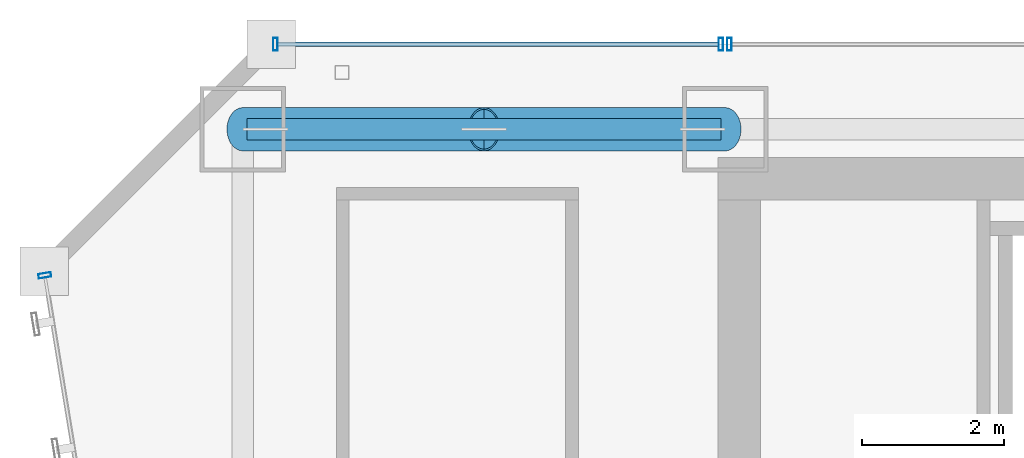
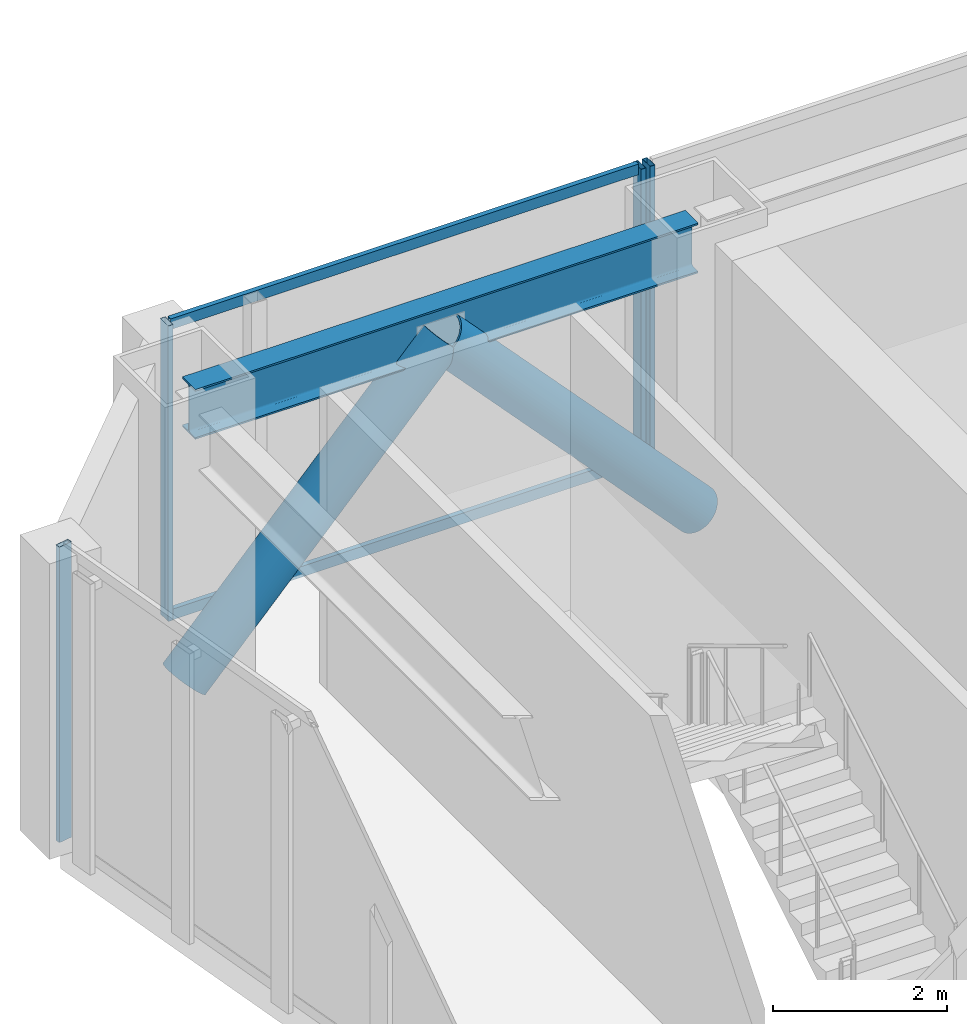
# One storey, part 26 of 49: 8 members, 1 beam, 3 elements without a shape of their own.
"""IFC4 building model written with IfcOpenShell, lengths in metres."""

from ifc_helpers import new_model, si_unit, direction, frame, origin, origin_2d, place, context, subcontext, project, spatial, hollow_rectangle, hollow_circle, i_section, extrude, material, material_profile, profile_set, type_object, element, aggregate, save


model = new_model("IFC4")

# Units and contexts
model_context = context("Model", 3, precision=1e-05, world=origin(), true_north=direction((0.0, 1.0)))
body_context = subcontext(model_context, "Body", "Model", "MODEL_VIEW")
ifc_project = project(units=[si_unit("LENGTHUNIT", "METRE"), si_unit("AREAUNIT", "SQUARE_METRE"), si_unit("VOLUMEUNIT", "CUBIC_METRE"), si_unit("PLANEANGLEUNIT", "RADIAN"), si_unit("MASSUNIT", "GRAM", prefix="KILO")], contexts=[model_context])

# Site, building, storey
site_placement = place(None, origin())
site = spatial("IfcSite", under=ifc_project, at=site_placement, CompositionType="ELEMENT")
building_placement = place(site_placement, origin())
building = spatial("IfcBuilding", under=site, at=building_placement, Name="Saevonmaru Cultural Tower", CompositionType="ELEMENT")
storey_placement = place(building_placement, frame((0.0, 0.0, 38.39990234375)))
storey = spatial("IfcBuildingStorey", under=building, at=storey_placement, Name="L07", CompositionType="ELEMENT", Elevation=38.39990234375)

# Beam
ifc_material_1 = material(Name="Steel SM355", Category="steel")
ifc_material_profile_1 = material_profile(ifc_material_1, i_section(OverallWidth=0.300048828125, OverallDepth=0.699951171875, WebThickness=0.012939453125, FlangeThickness=0.02392578125, FilletRadius=0.02587890625, at=origin_2d()), Name="H-700x300x13x24")
ifc_profile_set_1 = profile_set([ifc_material_profile_1], Name="Steel SM355")
beam_type = type_object("IfcBeamType", Name="BM-SP-H700", PredefinedType="SPANDREL", material=ifc_profile_set_1)
beam_placement = place(storey_placement, frame((6.860107421875, 54.800048828125, 3.800048828125), z_axis=(1.0, 0.0, 0.0), x_axis=(0.0, 1.0, 0.0)))
element("IfcBeam", 1, at=beam_placement, inside=storey, type_object=beam_type, Name="L07 North Spine Girder 1", PredefinedType="SPANDREL", context=body_context, shape_type="SweptSolid", body=[
    extrude(i_section(OverallWidth=0.300048828125, OverallDepth=0.699951171875, WebThickness=0.012939453125, FlangeThickness=0.02392578125, FilletRadius=0.02587890625, at=origin_2d()), origin(), (0.0, 0.0, 1.0), 6.679931640625),
])

# Members
ifc_material_2 = material(Name="Steel HSA600 (600 MPa)", Category="steel")
ifc_material_profile_2 = material_profile(ifc_material_2, hollow_circle(Radius=0.3046875, WallThickness=0.02490234375, at=origin_2d()), Name="CHS-609.6x25")
ifc_profile_set_2 = profile_set([ifc_material_profile_2], Name="Steel HSA600 (600 MPa)")
member_type_1 = type_object("IfcMemberType", Name="MB-PBR-CHS610", PredefinedType="BRACE", material=ifc_profile_set_2)
member_1_placement = place(storey_placement, frame((6.800048828125, 54.800048828125, 0.02001953125), z_axis=(0.681578526789, 0.0, 0.731744977311), x_axis=(0.0, 1.0, 0.0)))
element("IfcMember", 2, at=member_1_placement, inside=storey, type_object=member_type_1, Name="L07 Perimeter Braced-Tube Diagonal WN1", PredefinedType="BRACE", context=body_context, shape_type="SweptSolid", body=[
    extrude(hollow_circle(Radius=0.3046875, WallThickness=0.02490234375, at=origin_2d()), origin(), (0.0, 0.0, 1.0), 4.98828125),
])
member_2_placement = place(storey_placement, frame((13.60009765625, 54.800048828125, 0.02001953125), z_axis=(-0.681604731977, 0.0, 0.731720567803), x_axis=(0.0, -1.0, 0.0)))
element("IfcMember", 3, at=member_2_placement, inside=storey, type_object=member_type_1, Name="L07 Perimeter Braced-Tube Diagonal WN2", PredefinedType="BRACE", context=body_context, shape_type="SweptSolid", body=[
    extrude(hollow_circle(Radius=0.3046875, WallThickness=0.02490234375, at=origin_2d()), origin(), (0.0, 0.0, 1.0), 4.988525390625),
])

# Curtain wall, member
ifc_material_3 = material(Name="Satin Bronze Anodised Aluminium", Category="aluminium")
curtain_wall_type = type_object("IfcCurtainWallType", Name="CW-TYP-A", PredefinedType="NOTDEFINED", material=ifc_material_3)
curtain_wall_1_placement = place(storey_placement, origin())
curtain_wall_1 = element("IfcCurtainWall", 4, at=curtain_wall_1_placement, inside=storey, type_object=curtain_wall_type, Name="L07 North Spine Unitised Curtain Wall E10B", PredefinedType="NOTDEFINED")
ifc_material_profile_3 = material_profile(ifc_material_3, hollow_rectangle(XDim=0.06494140625, YDim=0.179931640625, WallThickness=0.00390625, at=origin_2d()), Name="ALU-MULL-180x65x4")
ifc_profile_set_3 = profile_set([ifc_material_profile_3], Name="Satin Bronze Anodised Aluminium")
member_type_2 = type_object("IfcMemberType", Name="ML-CW-180x65", PredefinedType="MULLION", material=ifc_profile_set_3)
member_3_placement = place(storey_placement, frame((13.659912109375, 56.0, 0.0), z_axis=(0.0, 0.0, 1.0), x_axis=(-1.0, 0.0, 0.0)))
member_3 = element("IfcMember", 5, at=member_3_placement, type_object=member_type_2, Name="CW-TW-L07-E10B mullion 4", PredefinedType="MULLION", context=body_context, shape_type="SweptSolid", body=[
    extrude(hollow_rectangle(XDim=0.06494140625, YDim=0.179931640625, WallThickness=0.00390625, at=origin_2d()), origin(), (0.0, 0.0, 1.0), 4.150146484375),
])
aggregate(curtain_wall_1, [member_3])

# Curtain wall, members
curtain_wall_2_placement = place(storey_placement, origin())
curtain_wall_2 = element("IfcCurtainWall", 6, at=curtain_wall_2_placement, inside=storey, type_object=curtain_wall_type, Name="L07 West Braced Bay Spandrel Curtain Wall E10C", PredefinedType="NOTDEFINED")
member_4_placement = place(storey_placement, frame((13.5400390625, 56.0, 0.0), z_axis=(0.0, 0.0, 1.0), x_axis=(-1.0, 0.0, 0.0)))
member_4 = element("IfcMember", 7, at=member_4_placement, type_object=member_type_2, Name="CW-TW-L07-E10C mullion 1", PredefinedType="MULLION", context=body_context, shape_type="SweptSolid", body=[
    extrude(hollow_rectangle(XDim=0.06494140625, YDim=0.179931640625, WallThickness=0.00390625, at=origin_2d()), origin(), (0.0, 0.0, 1.0), 4.150146484375),
])
member_5_placement = place(storey_placement, frame((7.260009765625, 56.0, 0.0), z_axis=(0.0, 0.0, 1.0), x_axis=(-1.0, 0.0, 0.0)))
member_5 = element("IfcMember", 8, at=member_5_placement, type_object=member_type_2, Name="CW-TW-L07-E10C mullion 2", PredefinedType="MULLION", context=body_context, shape_type="SweptSolid", body=[
    extrude(hollow_rectangle(XDim=0.06494140625, YDim=0.179931640625, WallThickness=0.00390625, at=origin_2d()), origin(), (0.0, 0.0, 1.0), 4.150146484375),
])

# Curtain wall, member
curtain_wall_3_placement = place(storey_placement, origin())
curtain_wall_3 = element("IfcCurtainWall", 9, at=curtain_wall_3_placement, inside=storey, type_object=curtain_wall_type, Name="L07 Unitised Curtain Wall E12", PredefinedType="NOTDEFINED")
member_6_placement = place(storey_placement, frame((4.009765625, 52.74072265625, 0.0), z_axis=(0.0, 0.0, 1.0), x_axis=(0.161708868641, -0.986838508472, 0.0)))
member_6 = element("IfcMember", 10, at=member_6_placement, type_object=member_type_2, Name="CW-TW-L07-E12 mullion 1", PredefinedType="MULLION", context=body_context, shape_type="SweptSolid", body=[
    extrude(hollow_rectangle(XDim=0.06494140625, YDim=0.179931640625, WallThickness=0.00390625, at=origin_2d()), origin(), (0.0, 0.0, 1.0), 4.150146484375),
])
aggregate(curtain_wall_3, [member_6])

# Member
ifc_material_profile_4 = material_profile(ifc_material_3, hollow_rectangle(XDim=0.06494140625, YDim=0.14990234375, WallThickness=0.00390625, at=origin_2d()), Name="ALU-TRAN-150x65x4")
ifc_profile_set_4 = profile_set([ifc_material_profile_4], Name="Satin Bronze Anodised Aluminium")
member_type_3 = type_object("IfcMemberType", Name="TR-CW-150x65", PredefinedType="USERDEFINED", material=ifc_profile_set_4)
member_7_placement = place(storey_placement, frame((13.507568359375, 56.0, 0.03271484375), z_axis=(-1.0, 0.0, 0.0), x_axis=(0.0, -1.0, 0.0)))
member_7 = element("IfcMember", 11, at=member_7_placement, type_object=member_type_3, Name="CW-TW-L07-E10C transom 1.1", ObjectType="TRANSOM", PredefinedType="USERDEFINED", context=body_context, shape_type="SweptSolid", body=[
    extrude(hollow_rectangle(XDim=0.06494140625, YDim=0.14990234375, WallThickness=0.00390625, at=origin_2d()), origin(), (0.0, 0.0, 1.0), 6.215087890625),
])

member_8_placement = place(storey_placement, frame((13.507568359375, 56.0, 4.11767578125), z_axis=(-1.0, 0.0, 0.0), x_axis=(0.0, -1.0, 0.0)))
member_8 = element("IfcMember", 12, at=member_8_placement, type_object=member_type_3, Name="CW-TW-L07-E10C transom 1.2", ObjectType="TRANSOM", PredefinedType="USERDEFINED", context=body_context, shape_type="SweptSolid", body=[
    extrude(hollow_rectangle(XDim=0.06494140625, YDim=0.14990234375, WallThickness=0.00390625, at=origin_2d()), origin(), (0.0, 0.0, 1.0), 6.215087890625),
])

aggregate(curtain_wall_2, [member_4, member_5, member_7, member_8])

save(model, "model.ifc")
